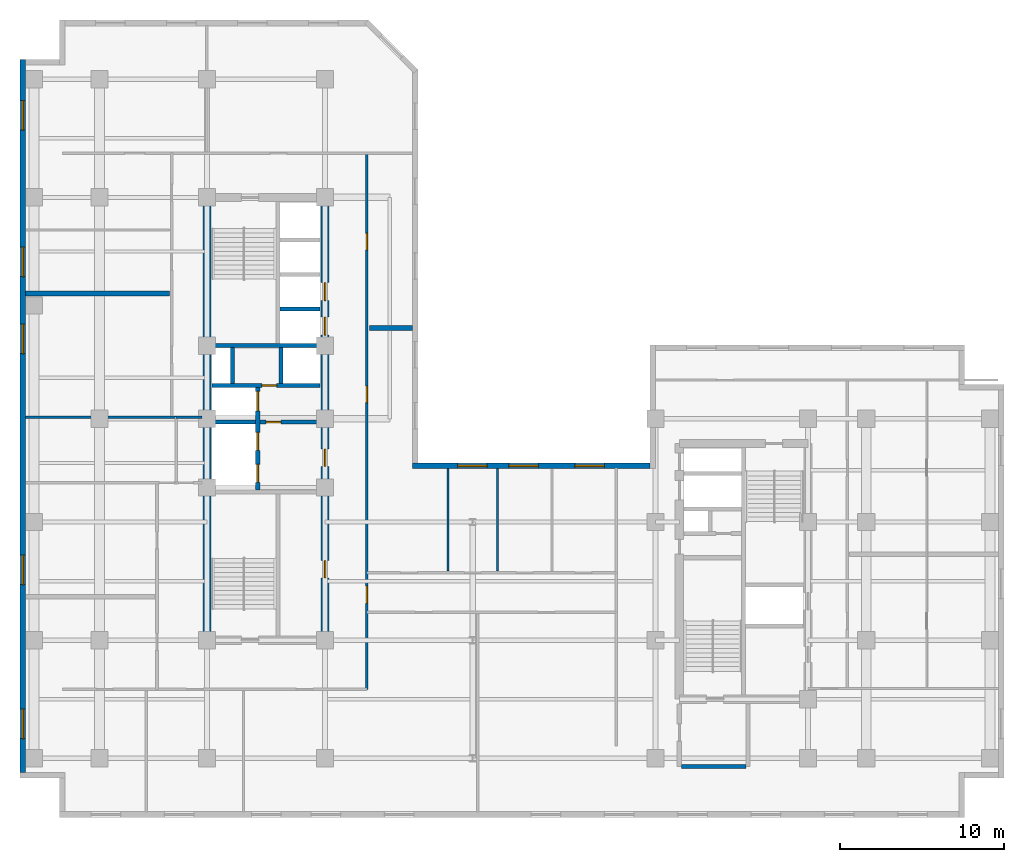
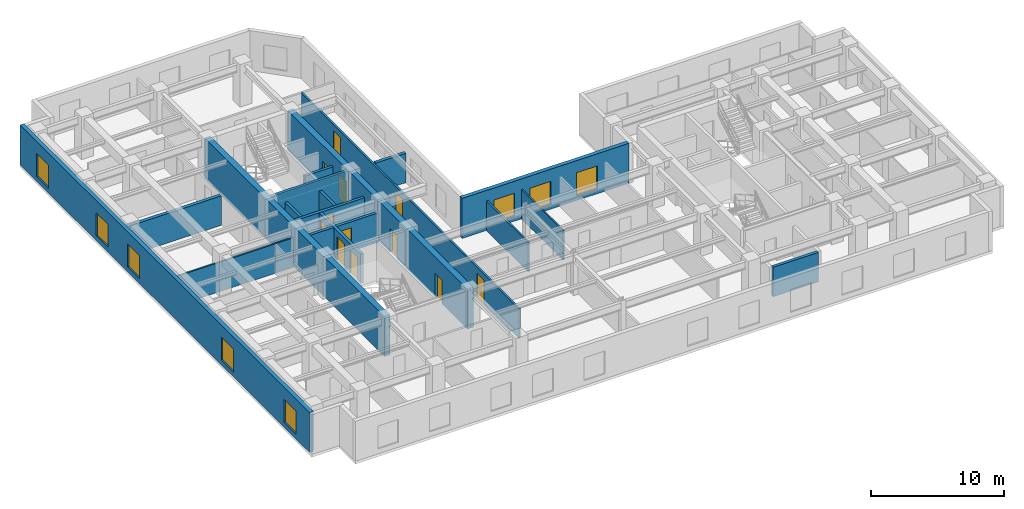
# One storey, part 4 of 10: 20 walls, 12 doors, 8 windows, 20 openings.
"""IFC4 building model written with IfcOpenShell, lengths in metres."""

from ifc_helpers import new_model, entity, si_unit, converted_unit, direction, frame, origin_with_axes, origin_2d_with_axis, place, context, subcontext, project, spatial, polyline, rectangle, outline, extrude, material, layer, layer_set, type_object, element, fill, save


model = new_model("IFC4")

# Units and contexts
model_context = context("Model", 3, precision=1e-05, world=origin_with_axes(), true_north=direction((0.0, 1.0)))
body_context = subcontext(model_context, "Body", "Model", "MODEL_VIEW")
ifc_project = project(units=[si_unit("LENGTHUNIT", "METRE"), si_unit("AREAUNIT", "SQUARE_METRE"), si_unit("VOLUMEUNIT", "CUBIC_METRE"), converted_unit("PLANEANGLEUNIT", "DEGREE", entity("IfcPlaneAngleMeasure", 0.017453292519943295), si_unit("PLANEANGLEUNIT", "RADIAN"), dimensions=[0, 0, 0, 0, 0, 0, 0]), si_unit("MASSUNIT", "GRAM", prefix="KILO"), si_unit("THERMODYNAMICTEMPERATUREUNIT", "KELVIN")], contexts=[model_context])

# Site, building, storey
site_placement = place(None, origin_with_axes())
site = spatial("IfcSite", under=ifc_project, at=site_placement, CompositionType="ELEMENT")
building_placement = place(site_placement, origin_with_axes())
building = spatial("IfcBuilding", under=site, at=building_placement, Name="Varnlund Millrace Tower", CompositionType="ELEMENT")
storey_placement = place(building_placement, frame((0.0, 0.0, 168.0), z_axis=(0.0, 0.0, 1.0), x_axis=(1.0, 0.0, 0.0)))
storey = spatial("IfcBuildingStorey", under=building, at=storey_placement, Name="L41", CompositionType="ELEMENT", Elevation=168.0)

# Wall
ifc_material_1 = material(Name="Concrete C70/85", Category="concrete")
ifc_layer_1 = layer(ifc_material_1, 0.5, Name="Concrete C70/85")
ifc_layer_set_1 = layer_set([ifc_layer_1], Name="Concrete C70/85")
wall_type_1 = type_object("IfcWallType", Name="Type-CoreWall-Shear-500-C70", PredefinedType="SHEAR", material=ifc_layer_set_1)
wall_1_placement = place(storey_placement, frame((11.4, 10.8, 0.0), z_axis=(0.0, 0.0, 1.0), x_axis=(0.0, 1.0, 0.0)))
element("IfcWall", 1, at=wall_1_placement, inside=storey, type_object=wall_type_1, Name="Type-CoreWall-Shear-500-C70", PredefinedType="SHEAR", context=body_context, shape_type="SweptSolid", body=[
    extrude(outline(polyline([(0.0, -0.25), (27.0, -0.25), (27.0, 0.25), (0.0, 0.25), (0.0, -0.25)])), origin_with_axes(), (0.0, 0.0, 1.0), 3.66),
])

# Wall, openings, doors
wall_2_placement = place(storey_placement, frame((18.6, 10.8, 0.0), z_axis=(0.0, 0.0, 1.0), x_axis=(0.0, 1.0, 0.0)))
wall_2 = element("IfcWall", 2, at=wall_2_placement, inside=storey, type_object=wall_type_1, Name="Type-CoreWall-Shear-500-C70", PredefinedType="SHEAR", context=body_context, shape_type="SweptSolid", body=[
    extrude(outline(polyline([(0.0, -0.25), (13.5, -0.25), (13.5, 0.25), (0.0, 0.25), (0.0, -0.25)])), origin_with_axes(), (0.0, 0.0, 1.0), 3.66),
])
opening_1_placement = place(wall_2_placement, frame((11.125, 0.0, 0.0), z_axis=(0.0, 0.0, 1.0), x_axis=(1.0, 0.0, 0.0)))
opening_1 = element("IfcOpeningElement", 3, at=opening_1_placement, cuts=wall_2, Name="Opening L41:DR-FFLOB-A", PredefinedType="OPENING", context=body_context, shape_type="SweptSolid", body=[
    extrude(rectangle(XDim=1.05, YDim=0.52, at=origin_2d_with_axis()), origin_with_axes(), (0.0, 0.0, 1.0), 2.15),
])
opening_2_placement = place(wall_2_placement, frame((4.325, 0.0, 0.0), z_axis=(0.0, 0.0, 1.0), x_axis=(1.0, 0.0, 0.0)))
opening_2 = element("IfcOpeningElement", 4, at=opening_2_placement, cuts=wall_2, Name="Opening L41:DR-RECL-A1", PredefinedType="OPENING", context=body_context, shape_type="SweptSolid", body=[
    extrude(rectangle(XDim=1.05, YDim=0.52, at=origin_2d_with_axis()), origin_with_axes(), (0.0, 0.0, 1.0), 2.15),
])
ifc_material_2 = material(Name="Smoke-barrier hollow steel fire door", Category="steel")
door_type_1 = type_object("IfcDoorType", Name="Type-FireDoor-Lobby-1050X2150", OperationType="NOTDEFINED", PredefinedType="DOOR", material=ifc_material_2)
door_1_placement = place(wall_2_placement, frame((11.125, 0.0, 0.0), z_axis=(0.0, 0.0, 1.0), x_axis=(1.0, 0.0, 0.0)))
door_1 = element("IfcDoor", 5, at=door_1_placement, inside=storey, type_object=door_type_1, Name="Type-FireDoor-Lobby-1050X2150", OperationType="SINGLE_SWING_LEFT", OverallHeight=2.15, OverallWidth=1.05, PredefinedType="DOOR", context=body_context, shape_type="SweptSolid", body=[
    extrude(rectangle(XDim=1.05, YDim=0.09, at=origin_2d_with_axis()), origin_with_axes(), (0.0, 0.0, 1.0), 2.15),
])
fill(opening_1, door_1)
door_2_placement = place(wall_2_placement, frame((4.325, 0.0, 0.0), z_axis=(0.0, 0.0, 1.0), x_axis=(1.0, 0.0, 0.0)))
door_2 = element("IfcDoor", 6, at=door_2_placement, inside=storey, type_object=door_type_1, Name="Type-FireDoor-Lobby-1050X2150", OperationType="SINGLE_SWING_LEFT", OverallHeight=2.15, OverallWidth=1.05, PredefinedType="DOOR", context=body_context, shape_type="SweptSolid", body=[
    extrude(rectangle(XDim=1.05, YDim=0.09, at=origin_2d_with_axis()), origin_with_axes(), (0.0, 0.0, 1.0), 2.15),
])
fill(opening_2, door_2)

wall_3_placement = place(storey_placement, frame((18.6, 24.3, 0.0), z_axis=(0.0, 0.0, 1.0), x_axis=(0.0, 1.0, 0.0)))
wall_3 = element("IfcWall", 7, at=wall_3_placement, inside=storey, type_object=wall_type_1, Name="Type-CoreWall-Shear-500-C70", PredefinedType="SHEAR", context=body_context, shape_type="SweptSolid", body=[
    extrude(outline(polyline([(0.0, -0.25), (13.5, -0.25), (13.5, 0.25), (0.0, 0.25), (0.0, -0.25)])), origin_with_axes(), (0.0, 0.0, 1.0), 3.66),
])
opening_3_placement = place(wall_3_placement, frame((5.65, 0.0, 0.0), z_axis=(0.0, 0.0, 1.0), x_axis=(1.0, 0.0, 0.0)))
opening_3 = element("IfcOpeningElement", 8, at=opening_3_placement, cuts=wall_3, Name="Opening L41:LD-ELV-M1", PredefinedType="OPENING", context=body_context, shape_type="SweptSolid", body=[
    extrude(rectangle(XDim=1.1, YDim=0.52, at=origin_2d_with_axis()), origin_with_axes(), (0.0, 0.0, 1.0), 2.15),
])
opening_4_placement = place(wall_3_placement, frame((7.75, 0.0, 0.0), z_axis=(0.0, 0.0, 1.0), x_axis=(1.0, 0.0, 0.0)))
opening_4 = element("IfcOpeningElement", 9, at=opening_4_placement, cuts=wall_3, Name="Opening L41:LD-ELV-M2", PredefinedType="OPENING", context=body_context, shape_type="SweptSolid", body=[
    extrude(rectangle(XDim=1.1, YDim=0.52, at=origin_2d_with_axis()), origin_with_axes(), (0.0, 0.0, 1.0), 2.15),
])
ifc_material_3 = material(Name="Stainless and architectural bronze sliding landing door")
door_type_2 = type_object("IfcDoorType", Name="Type-LiftLandingDoor-1100X2150", OperationType="NOTDEFINED", PredefinedType="DOOR", material=ifc_material_3)
door_3_placement = place(wall_3_placement, frame((5.65, 0.0, 0.0), z_axis=(0.0, 0.0, 1.0), x_axis=(1.0, 0.0, 0.0)))
door_3 = element("IfcDoor", 10, at=door_3_placement, inside=storey, type_object=door_type_2, Name="Type-LiftLandingDoor-1100X2150", OperationType="SLIDING_TO_LEFT", OverallHeight=2.15, OverallWidth=1.1, PredefinedType="DOOR", context=body_context, shape_type="SweptSolid", body=[
    extrude(rectangle(XDim=1.1, YDim=0.09, at=origin_2d_with_axis()), origin_with_axes(), (0.0, 0.0, 1.0), 2.15),
])
fill(opening_3, door_3)
door_4_placement = place(wall_3_placement, frame((7.75, 0.0, 0.0), z_axis=(0.0, 0.0, 1.0), x_axis=(1.0, 0.0, 0.0)))
door_4 = element("IfcDoor", 11, at=door_4_placement, inside=storey, type_object=door_type_2, Name="Type-LiftLandingDoor-1100X2150", OperationType="SLIDING_TO_RIGHT", OverallHeight=2.15, OverallWidth=1.1, PredefinedType="DOOR", context=body_context, shape_type="SweptSolid", body=[
    extrude(rectangle(XDim=1.1, YDim=0.09, at=origin_2d_with_axis()), origin_with_axes(), (0.0, 0.0, 1.0), 2.15),
])
fill(opening_4, door_4)

# Wall, openings, windows
ifc_material_4 = material(Name="Precast concrete C50/60", Category="concrete")
ifc_layer_2 = layer(ifc_material_4, 0.34, Name="Precast concrete C50/60")
ifc_layer_set_2 = layer_set([ifc_layer_2], Name="Precast concrete C50/60")
wall_type_2 = type_object("IfcWallType", Name="Type-ExtWall-Precast-Upper-340", PredefinedType="SOLIDWALL", material=ifc_layer_set_2)
wall_4_placement = place(storey_placement, frame((0.17, 2.74, 0.0), z_axis=(0.0, 0.0, 1.0), x_axis=(0.0, 1.0, 0.0)))
wall_4 = element("IfcWall", 12, at=wall_4_placement, inside=storey, type_object=wall_type_2, Name="Type-ExtWall-Precast-Upper-340", PredefinedType="SOLIDWALL", context=body_context, shape_type="SweptSolid", body=[
    extrude(outline(polyline([(0.0, -0.17), (43.46, -0.17), (43.46, 0.17), (0.0, 0.17), (0.0, -0.17)])), origin_with_axes(), (0.0, 0.0, 1.0), 3.66),
])
opening_5_placement = place(wall_4_placement, frame((2.948, 0.0, 0.45), z_axis=(0.0, 0.0, 1.0), x_axis=(1.0, 0.0, 0.0)))
opening_5 = element("IfcOpeningElement", 13, at=opening_5_placement, cuts=wall_4, Name="Opening L41:WN-19", PredefinedType="OPENING", context=body_context, shape_type="SweptSolid", body=[
    extrude(rectangle(XDim=1.8, YDim=0.36, at=origin_2d_with_axis()), origin_with_axes(), (0.0, 0.0, 1.0), 2.1),
])
opening_6_placement = place(wall_4_placement, frame((12.339, 0.0, 0.45), z_axis=(0.0, 0.0, 1.0), x_axis=(1.0, 0.0, 0.0)))
opening_6 = element("IfcOpeningElement", 14, at=opening_6_placement, cuts=wall_4, Name="Opening L41:WN-20", PredefinedType="OPENING", context=body_context, shape_type="SweptSolid", body=[
    extrude(rectangle(XDim=1.8, YDim=0.36, at=origin_2d_with_axis()), origin_with_axes(), (0.0, 0.0, 1.0), 2.1),
])
opening_7_placement = place(wall_4_placement, frame((26.426, 0.0, 0.45), z_axis=(0.0, 0.0, 1.0), x_axis=(1.0, 0.0, 0.0)))
opening_7 = element("IfcOpeningElement", 15, at=opening_7_placement, cuts=wall_4, Name="Opening L41:WN-21", PredefinedType="OPENING", context=body_context, shape_type="SweptSolid", body=[
    extrude(rectangle(XDim=1.8, YDim=0.36, at=origin_2d_with_axis()), origin_with_axes(), (0.0, 0.0, 1.0), 2.1),
])
opening_8_placement = place(wall_4_placement, frame((31.121, 0.0, 0.45), z_axis=(0.0, 0.0, 1.0), x_axis=(1.0, 0.0, 0.0)))
opening_8 = element("IfcOpeningElement", 16, at=opening_8_placement, cuts=wall_4, Name="Opening L41:WN-22", PredefinedType="OPENING", context=body_context, shape_type="SweptSolid", body=[
    extrude(rectangle(XDim=1.8, YDim=0.36, at=origin_2d_with_axis()), origin_with_axes(), (0.0, 0.0, 1.0), 2.1),
])
opening_9_placement = place(wall_4_placement, frame((40.062, 0.0, 0.45), z_axis=(0.0, 0.0, 1.0), x_axis=(1.0, 0.0, 0.0)))
opening_9 = element("IfcOpeningElement", 17, at=opening_9_placement, cuts=wall_4, Name="Opening L41:WN-23", PredefinedType="OPENING", context=body_context, shape_type="SweptSolid", body=[
    extrude(rectangle(XDim=1.8, YDim=0.36, at=origin_2d_with_axis()), origin_with_axes(), (0.0, 0.0, 1.0), 2.1),
])
ifc_material_5 = material(Name="Argon low-e triple glazing in thermally broken bronze frame", Category="glass")
window_type = type_object("IfcWindowType", Name="Type-Window-Punched-1800X2100", PartitioningType="SINGLE_PANEL", PredefinedType="WINDOW", material=ifc_material_5)
window_1_placement = place(wall_4_placement, frame((2.948, 0.0, 0.45), z_axis=(0.0, 0.0, 1.0), x_axis=(1.0, 0.0, 0.0)))
window_1 = element("IfcWindow", 18, at=window_1_placement, inside=storey, type_object=window_type, Name="Type-Window-Punched-1800X2100", OverallHeight=2.1, OverallWidth=1.8, PredefinedType="WINDOW", context=body_context, shape_type="SweptSolid", body=[
    extrude(rectangle(XDim=1.8, YDim=0.09, at=origin_2d_with_axis()), origin_with_axes(), (0.0, 0.0, 1.0), 2.1),
])
fill(opening_5, window_1)
window_2_placement = place(wall_4_placement, frame((12.339, 0.0, 0.45), z_axis=(0.0, 0.0, 1.0), x_axis=(1.0, 0.0, 0.0)))
window_2 = element("IfcWindow", 19, at=window_2_placement, inside=storey, type_object=window_type, Name="Type-Window-Punched-1800X2100", OverallHeight=2.1, OverallWidth=1.8, PredefinedType="WINDOW", context=body_context, shape_type="SweptSolid", body=[
    extrude(rectangle(XDim=1.8, YDim=0.09, at=origin_2d_with_axis()), origin_with_axes(), (0.0, 0.0, 1.0), 2.1),
])
fill(opening_6, window_2)
window_3_placement = place(wall_4_placement, frame((26.426, 0.0, 0.45), z_axis=(0.0, 0.0, 1.0), x_axis=(1.0, 0.0, 0.0)))
window_3 = element("IfcWindow", 20, at=window_3_placement, inside=storey, type_object=window_type, Name="Type-Window-Punched-1800X2100", OverallHeight=2.1, OverallWidth=1.8, PredefinedType="WINDOW", context=body_context, shape_type="SweptSolid", body=[
    extrude(rectangle(XDim=1.8, YDim=0.09, at=origin_2d_with_axis()), origin_with_axes(), (0.0, 0.0, 1.0), 2.1),
])
fill(opening_7, window_3)
window_4_placement = place(wall_4_placement, frame((31.121, 0.0, 0.45), z_axis=(0.0, 0.0, 1.0), x_axis=(1.0, 0.0, 0.0)))
window_4 = element("IfcWindow", 21, at=window_4_placement, inside=storey, type_object=window_type, Name="Type-Window-Punched-1800X2100", OverallHeight=2.1, OverallWidth=1.8, PredefinedType="WINDOW", context=body_context, shape_type="SweptSolid", body=[
    extrude(rectangle(XDim=1.8, YDim=0.09, at=origin_2d_with_axis()), origin_with_axes(), (0.0, 0.0, 1.0), 2.1),
])
fill(opening_8, window_4)
window_5_placement = place(wall_4_placement, frame((40.062, 0.0, 0.45), z_axis=(0.0, 0.0, 1.0), x_axis=(1.0, 0.0, 0.0)))
window_5 = element("IfcWindow", 22, at=window_5_placement, inside=storey, type_object=window_type, Name="Type-Window-Punched-1800X2100", OverallHeight=2.1, OverallWidth=1.8, PredefinedType="WINDOW", context=body_context, shape_type="SweptSolid", body=[
    extrude(rectangle(XDim=1.8, YDim=0.09, at=origin_2d_with_axis()), origin_with_axes(), (0.0, 0.0, 1.0), 2.1),
])
fill(opening_9, window_5)

wall_5_placement = place(storey_placement, frame((23.919, 21.43, 0.0), z_axis=(0.0, 0.0, 1.0), x_axis=(1.0, 0.0, 0.0)))
wall_5 = element("IfcWall", 23, at=wall_5_placement, inside=storey, type_object=wall_type_2, Name="Type-ExtWall-Precast-Upper-340", PredefinedType="SOLIDWALL", context=body_context, shape_type="SweptSolid", body=[
    extrude(outline(polyline([(0.0, -0.17), (14.481, -0.17), (14.481, 0.17), (0.0, 0.17), (0.0, -0.17)])), origin_with_axes(), (0.0, 0.0, 1.0), 3.66),
])
opening_10_placement = place(wall_5_placement, frame((3.663, 0.0, 0.45), z_axis=(0.0, 0.0, 1.0), x_axis=(1.0, 0.0, 0.0)))
opening_10 = element("IfcOpeningElement", 24, at=opening_10_placement, cuts=wall_5, Name="Opening L41:WN-34", PredefinedType="OPENING", context=body_context, shape_type="SweptSolid", body=[
    extrude(rectangle(XDim=1.8, YDim=0.36, at=origin_2d_with_axis()), origin_with_axes(), (0.0, 0.0, 1.0), 2.1),
])
opening_11_placement = place(wall_5_placement, frame((6.79, 0.0, 0.45), z_axis=(0.0, 0.0, 1.0), x_axis=(1.0, 0.0, 0.0)))
opening_11 = element("IfcOpeningElement", 25, at=opening_11_placement, cuts=wall_5, Name="Opening L41:WN-35", PredefinedType="OPENING", context=body_context, shape_type="SweptSolid", body=[
    extrude(rectangle(XDim=1.8, YDim=0.36, at=origin_2d_with_axis()), origin_with_axes(), (0.0, 0.0, 1.0), 2.1),
])
opening_12_placement = place(wall_5_placement, frame((10.817, 0.0, 0.45), z_axis=(0.0, 0.0, 1.0), x_axis=(1.0, 0.0, 0.0)))
opening_12 = element("IfcOpeningElement", 26, at=opening_12_placement, cuts=wall_5, Name="Opening L41:WN-36", PredefinedType="OPENING", context=body_context, shape_type="SweptSolid", body=[
    extrude(rectangle(XDim=1.8, YDim=0.36, at=origin_2d_with_axis()), origin_with_axes(), (0.0, 0.0, 1.0), 2.1),
])
window_6_placement = place(wall_5_placement, frame((3.663, 0.0, 0.45), z_axis=(0.0, 0.0, 1.0), x_axis=(1.0, 0.0, 0.0)))
window_6 = element("IfcWindow", 27, at=window_6_placement, inside=storey, type_object=window_type, Name="Type-Window-Punched-1800X2100", OverallHeight=2.1, OverallWidth=1.8, PredefinedType="WINDOW", context=body_context, shape_type="SweptSolid", body=[
    extrude(rectangle(XDim=1.8, YDim=0.09, at=origin_2d_with_axis()), origin_with_axes(), (0.0, 0.0, 1.0), 2.1),
])
fill(opening_10, window_6)
window_7_placement = place(wall_5_placement, frame((6.79, 0.0, 0.45), z_axis=(0.0, 0.0, 1.0), x_axis=(1.0, 0.0, 0.0)))
window_7 = element("IfcWindow", 28, at=window_7_placement, inside=storey, type_object=window_type, Name="Type-Window-Punched-1800X2100", OverallHeight=2.1, OverallWidth=1.8, PredefinedType="WINDOW", context=body_context, shape_type="SweptSolid", body=[
    extrude(rectangle(XDim=1.8, YDim=0.09, at=origin_2d_with_axis()), origin_with_axes(), (0.0, 0.0, 1.0), 2.1),
])
fill(opening_11, window_7)
window_8_placement = place(wall_5_placement, frame((10.817, 0.0, 0.45), z_axis=(0.0, 0.0, 1.0), x_axis=(1.0, 0.0, 0.0)))
window_8 = element("IfcWindow", 29, at=window_8_placement, inside=storey, type_object=window_type, Name="Type-Window-Punched-1800X2100", OverallHeight=2.1, OverallWidth=1.8, PredefinedType="WINDOW", context=body_context, shape_type="SweptSolid", body=[
    extrude(rectangle(XDim=1.8, YDim=0.09, at=origin_2d_with_axis()), origin_with_axes(), (0.0, 0.0, 1.0), 2.1),
])
fill(opening_12, window_8)

# Walls
ifc_material_6 = material(Name="Double-stud STC-60 conference acoustic partition", Category="gypsum")
ifc_layer_3 = layer(ifc_material_6, 0.28, Name="Double-stud STC-60 conference acoustic partition")
ifc_layer_set_3 = layer_set([ifc_layer_3], Name="Double-stud STC-60 conference acoustic partition")
wall_type_3 = type_object("IfcWallType", Name="Type-Partition-Acoustic-280", PredefinedType="PARTITIONING", material=ifc_layer_set_3)
wall_6_placement = place(storey_placement, frame((0.335, 31.935, 0.0), z_axis=(0.0, 0.0, 1.0), x_axis=(1.0, 0.0, 0.0)))
element("IfcWall", 30, at=wall_6_placement, inside=storey, type_object=wall_type_3, Name="Type-Partition-Acoustic-280", PredefinedType="PARTITIONING", context=body_context, shape_type="SweptSolid", body=[
    extrude(outline(polyline([(0.0, -0.14), (8.795, -0.14), (8.795, 0.14), (0.0, 0.14), (0.0, -0.14)])), origin_with_axes(), (0.0, 0.0, 1.0), 2.7),
])
wall_7_placement = place(storey_placement, frame((21.3, 29.835, 0.0), z_axis=(0.0, 0.0, 1.0), x_axis=(1.0, 0.0, 0.0)))
element("IfcWall", 31, at=wall_7_placement, inside=storey, type_object=wall_type_3, Name="Type-Partition-Acoustic-280", PredefinedType="PARTITIONING", context=body_context, shape_type="SweptSolid", body=[
    extrude(outline(polyline([(0.0, -0.14), (2.624, -0.14), (2.624, 0.14), (0.0, 0.14), (0.0, -0.14)])), origin_with_axes(), (0.0, 0.0, 1.0), 2.7),
])

# Wall, openings, doors
ifc_material_7 = material(Name="Fire-rated gypsum board on cold-formed steel framing", Category="steel")
ifc_layer_4 = layer(ifc_material_7, 0.16, Name="Fire-rated gypsum board on cold-formed steel framing")
ifc_layer_set_4 = layer_set([ifc_layer_4], Name="Fire-rated gypsum board on cold-formed steel framing")
wall_type_4 = type_object("IfcWallType", Name="Type-Partition-Corridor-160", PredefinedType="PARTITIONING", material=ifc_layer_set_4)
wall_8_placement = place(storey_placement, frame((21.15, 7.8, 0.0), z_axis=(0.0, 0.0, 1.0), x_axis=(0.0, 1.0, 0.0)))
wall_8 = element("IfcWall", 32, at=wall_8_placement, inside=storey, type_object=wall_type_4, Name="Type-Partition-Corridor-160", PredefinedType="PARTITIONING", context=body_context, shape_type="SweptSolid", body=[
    extrude(outline(polyline([(0.0, -0.08), (32.7, -0.08), (32.7, 0.08), (0.0, 0.08), (0.0, -0.08)])), origin_with_axes(), (0.0, 0.0, 1.0), 2.7),
])
opening_13_placement = place(wall_8_placement, frame((17.9825, 0.0, 0.0), z_axis=(0.0, 0.0, 1.0), x_axis=(1.0, 0.0, 0.0)))
opening_13 = element("IfcOpeningElement", 33, at=opening_13_placement, cuts=wall_8, Name="Opening L41:DR-FLR-01", PredefinedType="OPENING", context=body_context, shape_type="SweptSolid", body=[
    extrude(rectangle(XDim=1.0, YDim=0.18, at=origin_2d_with_axis()), origin_with_axes(), (0.0, 0.0, 1.0), 2.15),
])
opening_14_placement = place(wall_8_placement, frame((27.3025, 0.0, 0.0), z_axis=(0.0, 0.0, 1.0), x_axis=(1.0, 0.0, 0.0)))
opening_14 = element("IfcOpeningElement", 34, at=opening_14_placement, cuts=wall_8, Name="Opening L41:DR-FLR-02", PredefinedType="OPENING", context=body_context, shape_type="SweptSolid", body=[
    extrude(rectangle(XDim=1.0, YDim=0.18, at=origin_2d_with_axis()), origin_with_axes(), (0.0, 0.0, 1.0), 2.15),
])
opening_15_placement = place(wall_8_placement, frame((5.775, 0.0, 0.0), z_axis=(0.0, 0.0, 1.0), x_axis=(1.0, 0.0, 0.0)))
opening_15 = element("IfcOpeningElement", 35, at=opening_15_placement, cuts=wall_8, Name="Opening L41:DR-KN-W", PredefinedType="OPENING", context=body_context, shape_type="SweptSolid", body=[
    extrude(rectangle(XDim=1.05, YDim=0.18, at=origin_2d_with_axis()), origin_with_axes(), (0.0, 0.0, 1.0), 2.15),
])
door_5_placement = place(wall_8_placement, frame((5.775, 0.0, 0.0), z_axis=(0.0, 0.0, 1.0), x_axis=(1.0, 0.0, 0.0)))
door_5 = element("IfcDoor", 36, at=door_5_placement, inside=storey, type_object=door_type_1, Name="Type-FireDoor-Lobby-1050X2150", OperationType="SINGLE_SWING_LEFT", OverallHeight=2.15, OverallWidth=1.05, PredefinedType="DOOR", context=body_context, shape_type="SweptSolid", body=[
    extrude(rectangle(XDim=1.05, YDim=0.09, at=origin_2d_with_axis()), origin_with_axes(), (0.0, 0.0, 1.0), 2.15),
])
fill(opening_15, door_5)
ifc_material_8 = material(Name="Solid-core white oak and bronze frame door")
door_type_3 = type_object("IfcDoorType", Name="Type-IntDoor-Office-1000X2150", OperationType="NOTDEFINED", PredefinedType="DOOR", material=ifc_material_8)
door_6_placement = place(wall_8_placement, frame((17.9825, 0.0, 0.0), z_axis=(0.0, 0.0, 1.0), x_axis=(1.0, 0.0, 0.0)))
door_6 = element("IfcDoor", 37, at=door_6_placement, inside=storey, type_object=door_type_3, Name="Type-IntDoor-Office-1000X2150", OperationType="SINGLE_SWING_LEFT", OverallHeight=2.15, OverallWidth=1.0, PredefinedType="DOOR", context=body_context, shape_type="SweptSolid", body=[
    extrude(rectangle(XDim=1.0, YDim=0.09, at=origin_2d_with_axis()), origin_with_axes(), (0.0, 0.0, 1.0), 2.15),
])
fill(opening_13, door_6)
door_7_placement = place(wall_8_placement, frame((27.3025, 0.0, 0.0), z_axis=(0.0, 0.0, 1.0), x_axis=(1.0, 0.0, 0.0)))
door_7 = element("IfcDoor", 38, at=door_7_placement, inside=storey, type_object=door_type_3, Name="Type-IntDoor-Office-1000X2150", OperationType="SINGLE_SWING_RIGHT", OverallHeight=2.15, OverallWidth=1.0, PredefinedType="DOOR", context=body_context, shape_type="SweptSolid", body=[
    extrude(rectangle(XDim=1.0, YDim=0.09, at=origin_2d_with_axis()), origin_with_axes(), (0.0, 0.0, 1.0), 2.15),
])
fill(opening_14, door_7)

# Walls
ifc_material_9 = material(Name="Acoustic STC-50 gypsum board partition", Category="gypsum")
ifc_layer_5 = layer(ifc_material_9, 0.15, Name="Acoustic STC-50 gypsum board partition")
ifc_layer_set_5 = layer_set([ifc_layer_5], Name="Acoustic STC-50 gypsum board partition")
wall_type_5 = type_object("IfcWallType", Name="Type-Partition-Demising-150", PredefinedType="PARTITIONING", material=ifc_layer_set_5)
wall_9_placement = place(storey_placement, frame((26.097, 15.02, 0.0), z_axis=(0.0, 0.0, 1.0), x_axis=(0.0, 1.0, 0.0)))
element("IfcWall", 39, at=wall_9_placement, inside=storey, type_object=wall_type_5, Name="Type-Partition-Demising-150", PredefinedType="PARTITIONING", context=body_context, shape_type="SweptSolid", body=[
    extrude(outline(polyline([(0.0, -0.075), (6.245, -0.075), (6.245, 0.075), (0.0, 0.075), (0.0, -0.075)])), origin_with_axes(), (0.0, 0.0, 1.0), 2.7),
])
ifc_material_10 = material(Name="Gypsum board tenant partition", Category="gypsum")
ifc_layer_6 = layer(ifc_material_10, 0.125, Name="Gypsum board tenant partition")
ifc_layer_set_6 = layer_set([ifc_layer_6], Name="Gypsum board tenant partition")
wall_type_6 = type_object("IfcWallType", Name="Type-Partition-Tenant-125", PredefinedType="PARTITIONING", material=ifc_layer_set_6)
wall_10_placement = place(storey_placement, frame((29.116, 15.02, 0.0), z_axis=(0.0, 0.0, 1.0), x_axis=(0.0, 1.0, 0.0)))
element("IfcWall", 40, at=wall_10_placement, inside=storey, type_object=wall_type_6, Name="Type-Partition-Tenant-125", PredefinedType="PARTITIONING", context=body_context, shape_type="SweptSolid", body=[
    extrude(outline(polyline([(0.0, -0.0625), (6.245, -0.0625), (6.245, 0.0625), (0.0, 0.0625), (0.0, -0.0625)])), origin_with_axes(), (0.0, 0.0, 1.0), 2.7),
])
ifc_material_11 = material(Name="Moisture-resistant gypsum restroom partition", Category="gypsum")
ifc_layer_7 = layer(ifc_material_11, 0.14, Name="Moisture-resistant gypsum restroom partition")
ifc_layer_set_7 = layer_set([ifc_layer_7], Name="Moisture-resistant gypsum restroom partition")
wall_type_7 = type_object("IfcWallType", Name="Type-Partition-Wet-140", PredefinedType="PARTITIONING", material=ifc_layer_set_7)
wall_11_placement = place(storey_placement, frame((9.52, 24.4, 0.0), z_axis=(0.0, 0.0, 1.0), x_axis=(1.0, 0.0, 0.0)))
element("IfcWall", 41, at=wall_11_placement, inside=storey, type_object=wall_type_7, Name="Type-Partition-Wet-140", PredefinedType="PARTITIONING", context=body_context, shape_type="SweptSolid", body=[
    extrude(outline(polyline([(0.0, -0.07), (1.58, -0.07), (1.58, 0.07), (0.0, 0.07), (0.0, -0.07)])), origin_with_axes(), (0.0, 0.0, 1.0), 2.7),
])
wall_12_placement = place(storey_placement, frame((0.335, 24.4, 0.0), z_axis=(0.0, 0.0, 1.0), x_axis=(1.0, 0.0, 0.0)))
element("IfcWall", 42, at=wall_12_placement, inside=storey, type_object=wall_type_7, Name="Type-Partition-Wet-140", PredefinedType="PARTITIONING", context=body_context, shape_type="SweptSolid", body=[
    extrude(outline(polyline([(0.0, -0.07), (9.185, -0.07), (9.185, 0.07), (0.0, 0.07), (0.0, -0.07)])), origin_with_axes(), (0.0, 0.0, 1.0), 2.7),
])

# Wall, openings, doors
ifc_material_12 = material(Name="Concrete C60/75", Category="concrete")
ifc_layer_8 = layer(ifc_material_12, 0.25, Name="Concrete C60/75")
ifc_layer_set_8 = layer_set([ifc_layer_8], Name="Concrete C60/75")
wall_type_8 = type_object("IfcWallType", Name="Type-ShaftWall-Fire-250", PredefinedType="SOLIDWALL", material=ifc_layer_set_8)
wall_13_placement = place(storey_placement, frame((14.5, 19.95, 0.0), z_axis=(0.0, 0.0, 1.0), x_axis=(0.0, 1.0, 0.0)))
wall_13 = element("IfcWall", 43, at=wall_13_placement, inside=storey, type_object=wall_type_8, Name="Type-ShaftWall-Fire-250", PredefinedType="SOLIDWALL", context=body_context, shape_type="SweptSolid", body=[
    extrude(outline(polyline([(0.0, -0.125), (6.25, -0.125), (6.25, 0.125), (0.0, 0.125), (0.0, -0.125)])), origin_with_axes(), (0.0, 0.0, 1.0), 2.7),
])
opening_16_placement = place(wall_13_placement, frame((1.025, 0.0, 0.0), z_axis=(0.0, 0.0, 1.0), x_axis=(1.0, 0.0, 0.0)))
opening_16 = element("IfcOpeningElement", 44, at=opening_16_placement, cuts=wall_13, Name="Opening L41:LD-FSAE1", PredefinedType="OPENING", context=body_context, shape_type="SweptSolid", body=[
    extrude(rectangle(XDim=1.1, YDim=0.27, at=origin_2d_with_axis()), origin_with_axes(), (0.0, 0.0, 1.0), 2.15),
])
opening_17_placement = place(wall_13_placement, frame((2.975, 0.0, 0.0), z_axis=(0.0, 0.0, 1.0), x_axis=(1.0, 0.0, 0.0)))
opening_17 = element("IfcOpeningElement", 45, at=opening_17_placement, cuts=wall_13, Name="Opening L41:LD-FSAE2", PredefinedType="OPENING", context=body_context, shape_type="SweptSolid", body=[
    extrude(rectangle(XDim=1.1, YDim=0.27, at=origin_2d_with_axis()), origin_with_axes(), (0.0, 0.0, 1.0), 2.15),
])
opening_18_placement = place(wall_13_placement, frame((5.425, 0.0, 0.0), z_axis=(0.0, 0.0, 1.0), x_axis=(1.0, 0.0, 0.0)))
opening_18 = element("IfcOpeningElement", 46, at=opening_18_placement, cuts=wall_13, Name="Opening L41:LD-SRV1", PredefinedType="OPENING", context=body_context, shape_type="SweptSolid", body=[
    extrude(rectangle(XDim=1.2, YDim=0.27, at=origin_2d_with_axis()), origin_with_axes(), (0.0, 0.0, 1.0), 2.15),
])
door_8_placement = place(wall_13_placement, frame((1.025, 0.0, 0.0), z_axis=(0.0, 0.0, 1.0), x_axis=(1.0, 0.0, 0.0)))
door_8 = element("IfcDoor", 47, at=door_8_placement, inside=storey, type_object=door_type_2, Name="Type-LiftLandingDoor-1100X2150", OperationType="SLIDING_TO_LEFT", OverallHeight=2.15, OverallWidth=1.1, PredefinedType="DOOR", context=body_context, shape_type="SweptSolid", body=[
    extrude(rectangle(XDim=1.1, YDim=0.09, at=origin_2d_with_axis()), origin_with_axes(), (0.0, 0.0, 1.0), 2.15),
])
fill(opening_16, door_8)
door_9_placement = place(wall_13_placement, frame((2.975, 0.0, 0.0), z_axis=(0.0, 0.0, 1.0), x_axis=(1.0, 0.0, 0.0)))
door_9 = element("IfcDoor", 48, at=door_9_placement, inside=storey, type_object=door_type_2, Name="Type-LiftLandingDoor-1100X2150", OperationType="SLIDING_TO_RIGHT", OverallHeight=2.15, OverallWidth=1.1, PredefinedType="DOOR", context=body_context, shape_type="SweptSolid", body=[
    extrude(rectangle(XDim=1.1, YDim=0.09, at=origin_2d_with_axis()), origin_with_axes(), (0.0, 0.0, 1.0), 2.15),
])
fill(opening_17, door_9)
ifc_material_13 = material(Name="Heavy-duty freight sliding landing door")
door_type_4 = type_object("IfcDoorType", Name="Type-LiftLandingDoor-Service-1200X2150", OperationType="NOTDEFINED", PredefinedType="DOOR", material=ifc_material_13)
door_10_placement = place(wall_13_placement, frame((5.425, 0.0, 0.0), z_axis=(0.0, 0.0, 1.0), x_axis=(1.0, 0.0, 0.0)))
door_10 = element("IfcDoor", 49, at=door_10_placement, inside=storey, type_object=door_type_4, Name="Type-LiftLandingDoor-Service-1200X2150", OperationType="DOUBLE_DOOR_SLIDING", OverallHeight=2.15, OverallWidth=1.2, PredefinedType="DOOR", context=body_context, shape_type="SweptSolid", body=[
    extrude(rectangle(XDim=1.2, YDim=0.09, at=origin_2d_with_axis()), origin_with_axes(), (0.0, 0.0, 1.0), 2.15),
])
fill(opening_18, door_10)

# Wall, opening, door
wall_14_placement = place(storey_placement, frame((11.7, 24.1, 0.0), z_axis=(0.0, 0.0, 1.0), x_axis=(1.0, 0.0, 0.0)))
wall_14 = element("IfcWall", 50, at=wall_14_placement, inside=storey, type_object=wall_type_8, Name="Type-ShaftWall-Fire-250", PredefinedType="SOLIDWALL", context=body_context, shape_type="SweptSolid", body=[
    extrude(outline(polyline([(0.0, -0.125), (6.6, -0.125), (6.6, 0.125), (0.0, 0.125), (0.0, -0.125)])), origin_with_axes(), (0.0, 0.0, 1.0), 2.7),
])
opening_19_placement = place(wall_14_placement, frame((3.75, 0.0, 0.0), z_axis=(0.0, 0.0, 1.0), x_axis=(1.0, 0.0, 0.0)))
opening_19 = element("IfcOpeningElement", 51, at=opening_19_placement, cuts=wall_14, Name="Opening L41:DR-CA-SRV1", PredefinedType="OPENING", context=body_context, shape_type="SweptSolid", body=[
    extrude(rectangle(XDim=0.9, YDim=0.27, at=origin_2d_with_axis()), origin_with_axes(), (0.0, 0.0, 1.0), 2.15),
])
ifc_material_14 = material(Name="Fire-rated hollow steel service closet door", Category="steel")
door_type_5 = type_object("IfcDoorType", Name="Type-FireDoor-Closet-900X2150", OperationType="NOTDEFINED", PredefinedType="DOOR", material=ifc_material_14)
door_11_placement = place(wall_14_placement, frame((3.75, 0.0, 0.0), z_axis=(0.0, 0.0, 1.0), x_axis=(1.0, 0.0, 0.0)))
door_11 = element("IfcDoor", 52, at=door_11_placement, inside=storey, type_object=door_type_5, Name="Type-FireDoor-Closet-900X2150", OperationType="SINGLE_SWING_LEFT", OverallHeight=2.15, OverallWidth=0.9, PredefinedType="DOOR", context=body_context, shape_type="SweptSolid", body=[
    extrude(rectangle(XDim=0.9, YDim=0.09, at=origin_2d_with_axis()), origin_with_axes(), (0.0, 0.0, 1.0), 2.15),
])
fill(opening_19, door_11)

wall_15_placement = place(storey_placement, frame((11.7, 26.325, 0.0), z_axis=(0.0, 0.0, 1.0), x_axis=(1.0, 0.0, 0.0)))
wall_15 = element("IfcWall", 53, at=wall_15_placement, inside=storey, type_object=wall_type_8, Name="Type-ShaftWall-Fire-250", PredefinedType="SOLIDWALL", context=body_context, shape_type="SweptSolid", body=[
    extrude(outline(polyline([(0.0, -0.125), (6.6, -0.125), (6.6, 0.125), (0.0, 0.125), (0.0, -0.125)])), origin_with_axes(), (0.0, 0.0, 1.0), 2.7),
])
opening_20_placement = place(wall_15_placement, frame((3.5, 0.0, 0.0), z_axis=(0.0, 0.0, 1.0), x_axis=(1.0, 0.0, 0.0)))
opening_20 = element("IfcOpeningElement", 54, at=opening_20_placement, cuts=wall_15, Name="Opening L41:DR-CA-ELC", PredefinedType="OPENING", context=body_context, shape_type="SweptSolid", body=[
    extrude(rectangle(XDim=0.9, YDim=0.27, at=origin_2d_with_axis()), origin_with_axes(), (0.0, 0.0, 1.0), 2.15),
])
door_12_placement = place(wall_15_placement, frame((3.5, 0.0, 0.0), z_axis=(0.0, 0.0, 1.0), x_axis=(1.0, 0.0, 0.0)))
door_12 = element("IfcDoor", 55, at=door_12_placement, inside=storey, type_object=door_type_5, Name="Type-FireDoor-Closet-900X2150", OperationType="SINGLE_SWING_LEFT", OverallHeight=2.15, OverallWidth=0.9, PredefinedType="DOOR", context=body_context, shape_type="SweptSolid", body=[
    extrude(rectangle(XDim=0.9, YDim=0.09, at=origin_2d_with_axis()), origin_with_axes(), (0.0, 0.0, 1.0), 2.15),
])
fill(opening_20, door_12)

# Walls
for number, where, z_axis, x_axis, name in (
    (56, (12.96, 26.45, 0.0), (0.0, 0.0, 1.0), (0.0, 1.0, 0.0), "Type-ShaftWall-Fire-250"),
    (57, (15.925, 26.45, 0.0), (0.0, 0.0, 1.0), (0.0, 1.0, 0.0), "Type-ShaftWall-Fire-250"),
):
    element("IfcWall", number, at=place(storey_placement, frame(where, z_axis=z_axis, x_axis=x_axis)), inside=storey, type_object=wall_type_8, Name=name, PredefinedType="SOLIDWALL", context=body_context, shape_type="SweptSolid", body=[
        extrude(outline(polyline([(0.0, -0.125), (2.2, -0.125), (2.2, 0.125), (0.0, 0.125), (0.0, -0.125)])), origin_with_axes(), (0.0, 0.0, 1.0), 2.7),
    ])
wall_16_placement = place(storey_placement, frame((40.325, 3.1, 0.0), z_axis=(0.0, 0.0, 1.0), x_axis=(1.0, 0.0, 0.0)))
element("IfcWall", 58, at=wall_16_placement, inside=storey, type_object=wall_type_8, Name="Type-ShaftWall-Fire-250", PredefinedType="SOLIDWALL", context=body_context, shape_type="SweptSolid", body=[
    extrude(outline(polyline([(0.0, -0.125), (3.95, -0.125), (3.95, 0.125), (0.0, 0.125), (0.0, -0.125)])), origin_with_axes(), (0.0, 0.0, 1.0), 2.7),
])
wall_17_placement = place(storey_placement, frame((15.84, 31.0, 0.0), z_axis=(0.0, 0.0, 1.0), x_axis=(1.0, 0.0, 0.0)))
element("IfcWall", 59, at=wall_17_placement, inside=storey, type_object=wall_type_8, Name="Type-ShaftWall-Fire-250", PredefinedType="SOLIDWALL", context=body_context, shape_type="SweptSolid", body=[
    extrude(outline(polyline([(0.0, -0.125), (2.46, -0.125), (2.46, 0.125), (0.0, 0.125), (0.0, -0.125)])), origin_with_axes(), (0.0, 0.0, 1.0), 2.7),
])
wall_type_9 = type_object("IfcWallType", Name="Type-StairWall-Shear-250", PredefinedType="SHEAR", material=ifc_layer_set_8)
wall_18_placement = place(storey_placement, frame((11.65, 28.775, 0.0), z_axis=(0.0, 0.0, 1.0), x_axis=(1.0, 0.0, 0.0)))
element("IfcWall", 60, at=wall_18_placement, inside=storey, type_object=wall_type_9, Name="Type-StairWall-Shear-250", PredefinedType="SHEAR", context=body_context, shape_type="SweptSolid", body=[
    extrude(outline(polyline([(0.0, -0.125), (6.7, -0.125), (6.7, 0.125), (0.0, 0.125), (0.0, -0.125)])), origin_with_axes(), (0.0, 0.0, 1.0), 3.66),
])

save(model, "model.ifc")
